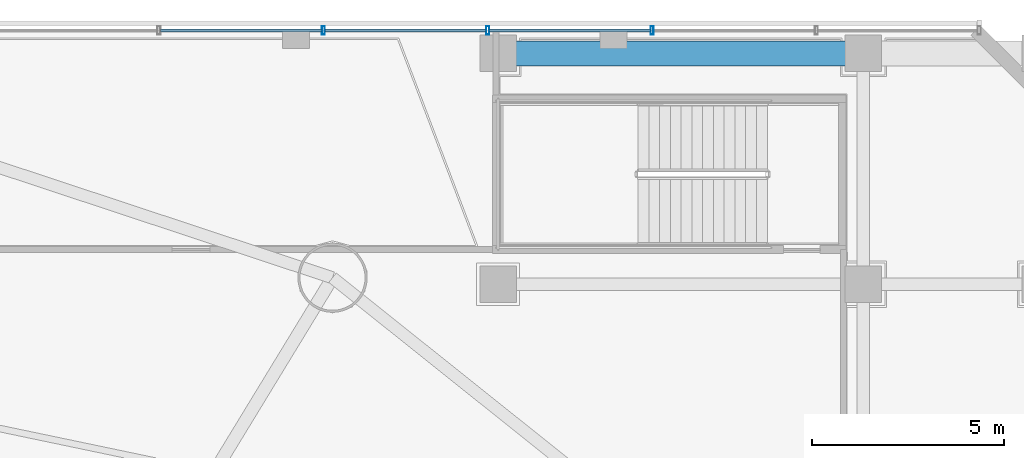
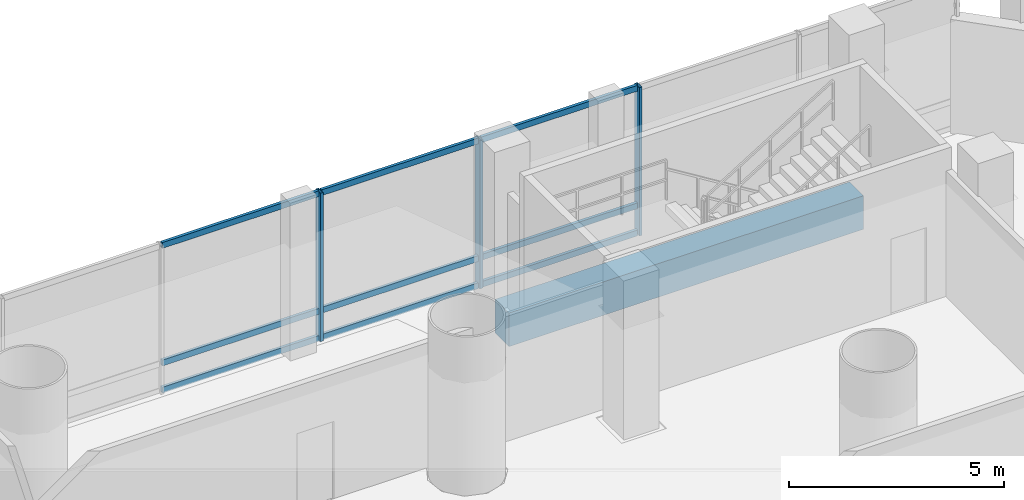
# One storey, part 15 of 36: 12 members, 1 beam, 1 element without a shape of its own.
"""IFC4 building model written with IfcOpenShell, lengths in metres."""

from ifc_helpers import new_model, si_unit, direction, frame, origin, origin_2d, place, context, subcontext, project, spatial, rectangle, hollow_rectangle, extrude, source, transform, mapped, material, material_profile, profile_set, type_object, element, aggregate, save


model = new_model("IFC4")

# Units and contexts
model_context = context("Model", 3, precision=1e-05, world=origin(), true_north=direction((-0.2419218956, 0.970295726276)))
body_context = subcontext(model_context, "Body", "Model", "MODEL_VIEW")
ifc_project = project(units=[si_unit("LENGTHUNIT", "METRE"), si_unit("AREAUNIT", "SQUARE_METRE"), si_unit("VOLUMEUNIT", "CUBIC_METRE"), si_unit("PLANEANGLEUNIT", "RADIAN"), si_unit("MASSUNIT", "GRAM", prefix="KILO")], contexts=[model_context])

# Site, building, storey
site_placement = place(None, origin())
site = spatial("IfcSite", under=ifc_project, at=site_placement, CompositionType="ELEMENT")
building_placement = place(site_placement, origin())
building = spatial("IfcBuilding", under=site, at=building_placement, Name="Cobrevalo Terracotta Tower", CompositionType="ELEMENT")
storey_placement = place(building_placement, frame((0.0, 0.0, 9.89990234375)))
storey = spatial("IfcBuildingStorey", under=building, at=storey_placement, Name="L02", CompositionType="ELEMENT", Elevation=9.89990234375)

# Beam
ifc_material_1 = material(Name="Concrete C50", Category="concrete")
ifc_material_profile_1 = material_profile(ifc_material_1, rectangle(XDim=0.64990234375, YDim=0.949951171875, at=origin_2d()), Name="RC BM 650x950")
ifc_profile_set_1 = profile_set([ifc_material_profile_1], Name="Concrete C50")
beam_type = type_object("IfcBeamType", Name="Structural Spandrel RC BM 650x950 (Concrete C50)", PredefinedType="SPANDREL", material=ifc_profile_set_1)
beam_placement = place(storey_placement, frame((57.5, 50.800048828125, -0.77490234375), z_axis=(1.0, 0.0, 0.0), x_axis=(0.0, 1.0, 0.0)))
element("IfcBeam", 1, at=beam_placement, inside=storey, type_object=beam_type, Name="L02 podium grid beam G7-GG to G8-GG", PredefinedType="SPANDREL", context=body_context, shape_type="SweptSolid", body=[
    extrude(rectangle(XDim=0.64990234375, YDim=0.949951171875, at=origin_2d()), origin(), (0.0, 0.0, 1.0), 9.5),
])

# Curtain wall, members
ifc_material_2 = material(Name="Anodized aluminium", Category="aluminium")
curtain_wall_type = type_object("IfcCurtainWallType", Name="Podium gallery & conservatory curtain wall CW-S2", PredefinedType="NOTDEFINED", material=ifc_material_2)
curtain_wall_placement = place(storey_placement, origin())
curtain_wall = element("IfcCurtainWall", 2, at=curtain_wall_placement, inside=storey, type_object=curtain_wall_type, Name="L02 curtain wall CW-POD-L02-N", PredefinedType="NOTDEFINED")
ifc_material_profile_2 = material_profile(ifc_material_2, hollow_rectangle(XDim=0.080078125, YDim=0.219970703125, WallThickness=0.0048828125, at=origin_2d()), Name="CWM 80x220")
ifc_profile_set_2 = profile_set([ifc_material_profile_2], Name="Anodized aluminium")
member_type_1 = type_object("IfcMemberType", Name="Storefront & atrium aluminium mullion 80x220", PredefinedType="MULLION", material=ifc_profile_set_2)
shared_shape_1 = source(origin(), body_context, "Body", "SweptSolid", [
    extrude(hollow_rectangle(XDim=0.080078125, YDim=0.219970703125, WallThickness=0.0048828125, at=origin_2d()), origin(), (0.0, 0.0, 1.0), 4.2001953125),
])
member_1_placement = place(storey_placement, frame((61.50341796875, 51.39990234375, 0.0), z_axis=(0.0, 0.0, 1.0), x_axis=(-1.0, 0.0, 0.0)))
member_1 = element("IfcMember", 3, at=member_1_placement, type_object=member_type_1, Name="CW-POD-L02-N vertical mullion 03", PredefinedType="MULLION", context=body_context, shape_type="MappedRepresentation", body=[
    mapped(shared_shape_1, transform((0.0, 0.0, 0.0), scale=1.0)),
])
member_2_placement = place(storey_placement, frame((57.22998046875, 51.39990234375, 0.0), z_axis=(0.0, 0.0, 1.0), x_axis=(-1.0, 0.0, 0.0)))
member_2 = element("IfcMember", 4, at=member_2_placement, type_object=member_type_1, Name="CW-POD-L02-N vertical mullion 04", PredefinedType="MULLION", context=body_context, shape_type="MappedRepresentation", body=[
    mapped(shared_shape_1, transform((0.0, 0.0, 0.0), scale=1.0)),
])
member_3_placement = place(storey_placement, frame((52.956787109375, 51.39990234375, 0.0), z_axis=(0.0, 0.0, 1.0), x_axis=(-1.0, 0.0, 0.0)))
member_3 = element("IfcMember", 5, at=member_3_placement, type_object=member_type_1, Name="CW-POD-L02-N vertical mullion 05", PredefinedType="MULLION", context=body_context, shape_type="MappedRepresentation", body=[
    mapped(shared_shape_1, transform((0.0, 0.0, 0.0), scale=1.0)),
])
ifc_material_profile_3 = material_profile(ifc_material_2, hollow_rectangle(XDim=0.080078125, YDim=0.1650390625, WallThickness=0.00439453125, at=origin_2d()), Name="CWT 80x165")
ifc_profile_set_3 = profile_set([ifc_material_profile_3], Name="Anodized aluminium")
member_type_2 = type_object("IfcMemberType", Name="Storefront & atrium aluminium transom 80x165", PredefinedType="USERDEFINED", material=ifc_profile_set_3)
shared_shape_2 = source(origin(), body_context, "Body", "SweptSolid", [
    extrude(hollow_rectangle(XDim=0.080078125, YDim=0.1650390625, WallThickness=0.00439453125, at=origin_2d()), origin(), (0.0, 0.0, 1.0), 4.193359375),
])
member_4_placement = place(storey_placement, frame((61.46337890625, 51.39990234375, 0.050048828125), z_axis=(-1.0, 0.0, 0.0), x_axis=(0.0, -1.0, 0.0)))
member_4 = element("IfcMember", 6, at=member_4_placement, type_object=member_type_2, Name="CW-POD-L02-N transom B03-T1", ObjectType="TRANSOM", PredefinedType="USERDEFINED", context=body_context, shape_type="MappedRepresentation", body=[
    mapped(shared_shape_2, transform((0.0, 0.0, 0.0), scale=1.0)),
])
member_5_placement = place(storey_placement, frame((61.46337890625, 51.39990234375, 0.820068359375), z_axis=(-1.0, 0.0, 0.0), x_axis=(0.0, -1.0, 0.0)))
member_5 = element("IfcMember", 7, at=member_5_placement, type_object=member_type_2, Name="CW-POD-L02-N transom B03-T2", ObjectType="TRANSOM", PredefinedType="USERDEFINED", context=body_context, shape_type="MappedRepresentation", body=[
    mapped(shared_shape_2, transform((0.0, 0.0, 0.0), scale=1.0)),
])
member_6_placement = place(storey_placement, frame((61.46337890625, 51.39990234375, 4.150146484375), z_axis=(-1.0, 0.0, 0.0), x_axis=(0.0, -1.0, 0.0)))
member_6 = element("IfcMember", 8, at=member_6_placement, type_object=member_type_2, Name="CW-POD-L02-N transom B03-T3", ObjectType="TRANSOM", PredefinedType="USERDEFINED", context=body_context, shape_type="MappedRepresentation", body=[
    mapped(shared_shape_2, transform((0.0, 0.0, 0.0), scale=1.0)),
])
member_7_placement = place(storey_placement, frame((57.18994140625, 51.39990234375, 0.050048828125), z_axis=(-1.0, 0.0, 0.0), x_axis=(0.0, -1.0, 0.0)))
member_7 = element("IfcMember", 9, at=member_7_placement, type_object=member_type_2, Name="CW-POD-L02-N transom B04-T1", ObjectType="TRANSOM", PredefinedType="USERDEFINED", context=body_context, shape_type="MappedRepresentation", body=[
    mapped(shared_shape_2, transform((0.0, 0.0, 0.0), scale=1.0)),
])
member_8_placement = place(storey_placement, frame((57.18994140625, 51.39990234375, 0.820068359375), z_axis=(-1.0, 0.0, 0.0), x_axis=(0.0, -1.0, 0.0)))
member_8 = element("IfcMember", 10, at=member_8_placement, type_object=member_type_2, Name="CW-POD-L02-N transom B04-T2", ObjectType="TRANSOM", PredefinedType="USERDEFINED", context=body_context, shape_type="MappedRepresentation", body=[
    mapped(shared_shape_2, transform((0.0, 0.0, 0.0), scale=1.0)),
])
member_9_placement = place(storey_placement, frame((57.18994140625, 51.39990234375, 4.150146484375), z_axis=(-1.0, 0.0, 0.0), x_axis=(0.0, -1.0, 0.0)))
member_9 = element("IfcMember", 11, at=member_9_placement, type_object=member_type_2, Name="CW-POD-L02-N transom B04-T3", ObjectType="TRANSOM", PredefinedType="USERDEFINED", context=body_context, shape_type="MappedRepresentation", body=[
    mapped(shared_shape_2, transform((0.0, 0.0, 0.0), scale=1.0)),
])
member_10_placement = place(storey_placement, frame((52.916748046875, 51.39990234375, 0.050048828125), z_axis=(-1.0, 0.0, 0.0), x_axis=(0.0, -1.0, 0.0)))
member_10 = element("IfcMember", 12, at=member_10_placement, type_object=member_type_2, Name="CW-POD-L02-N transom B05-T1", ObjectType="TRANSOM", PredefinedType="USERDEFINED", context=body_context, shape_type="MappedRepresentation", body=[
    mapped(shared_shape_2, transform((0.0, 0.0, 0.0), scale=1.0)),
])
member_11_placement = place(storey_placement, frame((52.916748046875, 51.39990234375, 0.820068359375), z_axis=(-1.0, 0.0, 0.0), x_axis=(0.0, -1.0, 0.0)))
member_11 = element("IfcMember", 13, at=member_11_placement, type_object=member_type_2, Name="CW-POD-L02-N transom B05-T2", ObjectType="TRANSOM", PredefinedType="USERDEFINED", context=body_context, shape_type="MappedRepresentation", body=[
    mapped(shared_shape_2, transform((0.0, 0.0, 0.0), scale=1.0)),
])
member_12_placement = place(storey_placement, frame((52.916748046875, 51.39990234375, 4.150146484375), z_axis=(-1.0, 0.0, 0.0), x_axis=(0.0, -1.0, 0.0)))
member_12 = element("IfcMember", 14, at=member_12_placement, type_object=member_type_2, Name="CW-POD-L02-N transom B05-T3", ObjectType="TRANSOM", PredefinedType="USERDEFINED", context=body_context, shape_type="MappedRepresentation", body=[
    mapped(shared_shape_2, transform((0.0, 0.0, 0.0), scale=1.0)),
])
aggregate(curtain_wall, [member_1, member_2, member_3, member_4, member_5, member_6, member_7, member_8, member_9, member_10, member_11, member_12])

save(model, "model.ifc")
